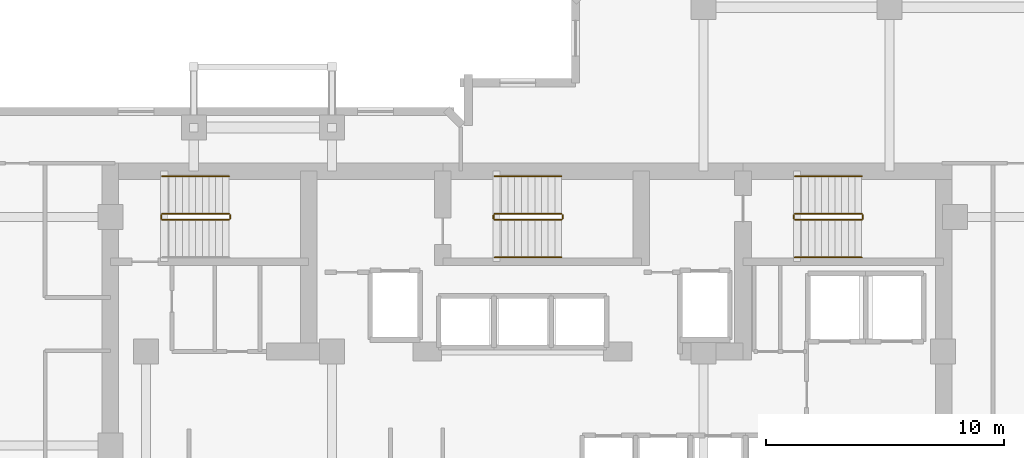
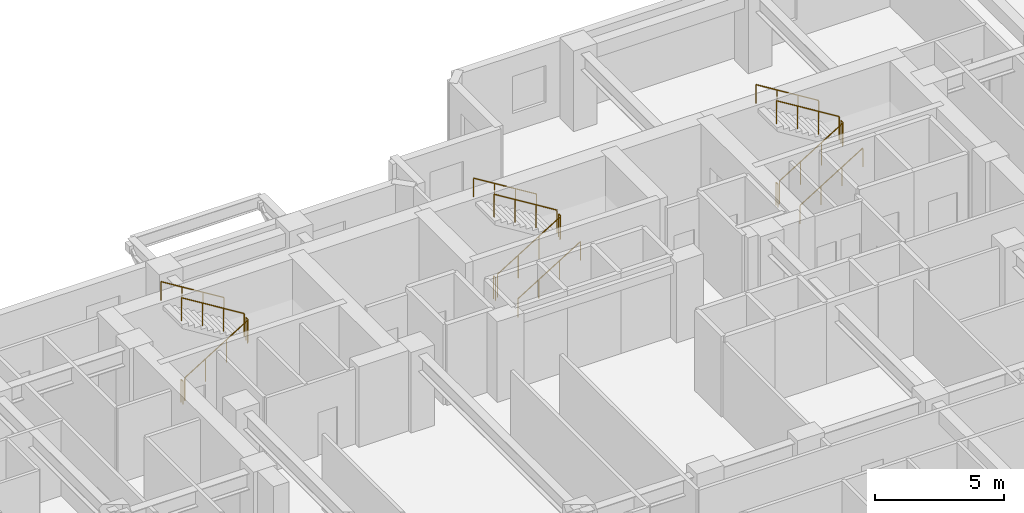
# One storey, part 10 of 10: 17 railings.
"""IFC4 building model written with IfcOpenShell, lengths in metres."""

import ifcopenshell
import ifcopenshell.guid

model = None  # the IFC model being written
_history = None  # IfcOwnerHistory: only IFC2X3 demands one
_inside = {}  # id of a spatial element -> (the spatial element, [elements in it])
_under = {}  # id of a project, library or spatial element -> (it, [spatial elements below it])
_declared = {}  # id of a project -> (the project, [libraries it declares])
_typed = {}  # id of a type object -> (the type object, [elements of that type])
_made_of = {}  # id of a material, layer set ... -> (it, [elements and type objects made of it])


def new_model(schema):
    """Start an empty IFC model of exactly this schema.

    Asked for "IFC4X3", IfcOpenShell would pick the latest addendum, in which some entities
    have other attributes; the version numbers below select the first issue.
    IFC2X3 requires an IfcOwnerHistory on every rooted entity: one is made here for all.
    """
    global model, _history
    if schema == "IFC4X3":
        model = ifcopenshell.file(schema_version=(4, 3, 0, 0))
    else:
        model = ifcopenshell.file(schema=schema)
    _inside.clear()
    _under.clear()
    _declared.clear()
    _typed.clear()
    _made_of.clear()
    _history = None
    if model.schema == "IFC2X3":
        org = make("IfcOrganization", Name="unknown")
        user = make(
            "IfcPersonAndOrganization",
            ThePerson=make("IfcPerson", FamilyName="unknown"),
            TheOrganization=org,
        )
        app = make(
            "IfcApplication",
            ApplicationDeveloper=org,
            Version="unknown",
            ApplicationFullName="unknown",
            ApplicationIdentifier="unknown",
        )
        _history = make(
            "IfcOwnerHistory",
            OwningUser=user,
            OwningApplication=app,
            ChangeAction="ADDED",
            CreationDate=0,
        )
    return model


def make(cls, **values):
    """One entity of the class cls with the attributes given. An attribute that is None is left unset."""
    return model.create_entity(
        cls, **{name: value for name, value in values.items() if value is not None}
    )


def rooted(cls, **values):
    """An entity with a GlobalId (a new one), such as an element, a storey or a relation."""
    return make(cls, GlobalId=ifcopenshell.guid.new(), OwnerHistory=_history, **values)


def si_unit(unit_type, name, prefix=None):
    """IfcSIUnit, for example si_unit("LENGTHUNIT", "METRE", prefix="MILLI")."""
    return make("IfcSIUnit", UnitType=unit_type, Prefix=prefix, Name=name)


def assignment(units):
    """IfcUnitAssignment: the units of a project."""
    return None if units is None else make("IfcUnitAssignment", Units=units)


def point(xyz):
    """IfcCartesianPoint."""
    return None if xyz is None else make("IfcCartesianPoint", Coordinates=xyz)


def direction(xyz):
    """IfcDirection."""
    return None if xyz is None else make("IfcDirection", DirectionRatios=xyz)


def frame(location, z_axis=None, x_axis=None):
    """IfcAxis2Placement3D, a coordinate frame: its origin and axes. An axis left out is left unset."""
    return make(
        "IfcAxis2Placement3D",
        Location=point(location),
        Axis=direction(z_axis),
        RefDirection=direction(x_axis),
    )


def frame_2d(location, x_axis=None):
    """IfcAxis2Placement2D, a coordinate frame in the plane: its origin and x axis."""
    return make(
        "IfcAxis2Placement2D", Location=point(location), RefDirection=direction(x_axis)
    )


def origin():
    """The frame at (0, 0, 0) with its axes left unset."""
    return frame((0.0, 0.0, 0.0))


def origin_2d():
    """The frame at (0, 0) in the plane with its x axis left unset."""
    return frame_2d((0.0, 0.0))


def place(relative_to, where):
    """IfcLocalPlacement: puts the frame where relative to a parent placement (None: the world)."""
    return make(
        "IfcLocalPlacement", PlacementRelTo=relative_to, RelativePlacement=where
    )


def context(
    kind, dimensions, precision=None, world=None, true_north=None, identifier=None
):
    """IfcGeometricRepresentationContext, for example the 3D "Model" context."""
    return make(
        "IfcGeometricRepresentationContext",
        ContextIdentifier=identifier,
        ContextType=kind,
        CoordinateSpaceDimension=dimensions,
        Precision=precision,
        WorldCoordinateSystem=world,
        TrueNorth=true_north,
    )


def subcontext(parent, identifier, kind, view, scale=None):
    """IfcGeometricRepresentationSubContext, for example "Body" below "Model"."""
    return make(
        "IfcGeometricRepresentationSubContext",
        ContextIdentifier=identifier,
        ContextType=kind,
        ParentContext=parent,
        TargetScale=scale,
        TargetView=view,
    )


def project(units=None, contexts=None):
    """IfcProject with its units and contexts."""
    return rooted(
        "IfcProject",
        Name="project",
        RepresentationContexts=contexts,
        UnitsInContext=assignment(units),
    )


def spatial(cls, under=None, at=None, **own):
    """A site, building, storey or space (cls), placed at a placement, below another one or the project."""
    s = rooted(cls, ObjectPlacement=at, **own)
    if under is not None:
        _under.setdefault(under.id(), (under, []))[1].append(s)
    return s


def profile(cls, at=None, kind="AREA", **sizes):
    """A parametric profile (cls). Its sizes go by their IFC names, for example OverallWidth=200.0."""
    return make(cls, ProfileType=kind, Position=at, **sizes)


def circle(**sizes):
    """IfcCircleProfileDef."""
    return profile("IfcCircleProfileDef", **sizes)


def extrude(swept, where, along, depth):
    """IfcExtrudedAreaSolid: the profile swept, set in the frame where, extruded along a direction by depth."""
    return make(
        "IfcExtrudedAreaSolid",
        SweptArea=swept,
        Position=where,
        ExtrudedDirection=direction(along),
        Depth=depth,
    )


def shape(context_of_items, identifier, shape_type, items):
    """IfcShapeRepresentation: the items that make up one representation, for example the "Body"."""
    return make(
        "IfcShapeRepresentation",
        ContextOfItems=context_of_items,
        RepresentationIdentifier=identifier,
        RepresentationType=shape_type,
        Items=items,
    )


def material(Name=None, Category=None):
    """IfcMaterial."""
    return make("IfcMaterial", Name=Name, Category=Category)


def made_of(thing, what):
    """Note that an element or type object is made of a material, layer set ...; save() writes the relation."""
    if what is not None:
        _made_of.setdefault(what.id(), (what, []))[1].append(thing)
    return thing


def type_object(cls, material=None, **own):
    """A type object (cls), such as IfcWallType, which elements share."""
    return made_of(rooted(cls, **own), material)


def element(
    cls,
    number,
    at=None,
    inside=None,
    cuts=None,
    type_object=None,
    material=None,
    context=None,
    identifier="Body",
    shape_type=None,
    held_by="IfcProductDefinitionShape",
    body=None,
    shapes=None,
    **own,
):
    """One element of the class cls, such as IfcWall. Its Tag is "e" and its number.

    at: its placement. inside: the storey or other place that contains it. cuts: it is an
    opening in that element (IfcRelVoidsElement). A single representation is given by context,
    identifier, shape_type and body (its items); several are given by shapes. held_by: the class
    of the entity that holds the representations. save() writes the other relations.
    """
    e = rooted(cls, Tag="e%d" % number, ObjectPlacement=at, **own)
    if body is not None:
        shapes = [shape(context, identifier, shape_type, body)]
    if shapes is not None:
        e.Representation = make(held_by, Representations=shapes)
    if inside is not None:
        _inside.setdefault(inside.id(), (inside, []))[1].append(e)
    if cuts is not None:
        rooted(
            "IfcRelVoidsElement", RelatingBuildingElement=cuts, RelatedOpeningElement=e
        )
    if type_object is not None:
        _typed.setdefault(type_object.id(), (type_object, []))[1].append(e)
    return made_of(e, material)


def aggregate(whole, parts):
    """IfcRelAggregates: a whole, such as a stair, and the parts it consists of."""
    return rooted("IfcRelAggregates", RelatingObject=whole, RelatedObjects=parts)


def save(model, path):
    """Write the relations noted so far, then the file.

    IfcRelAggregates (storeys below a building ...), IfcRelContainedInSpatialStructure (elements
    in a storey), IfcRelDefinesByType, IfcRelAssociatesMaterial and IfcRelDeclares: one each for
    every whole, place, type object, material and project.
    """
    for whole, parts in _under.values():
        aggregate(whole, parts)
    for where, things in _inside.values():
        rooted(
            "IfcRelContainedInSpatialStructure",
            RelatedElements=things,
            RelatingStructure=where,
        )
    for kind, things in _typed.values():
        rooted("IfcRelDefinesByType", RelatedObjects=things, RelatingType=kind)
    for what, things in _made_of.values():
        rooted("IfcRelAssociatesMaterial", RelatedObjects=things, RelatingMaterial=what)
    for by, libraries in _declared.values():
        rooted("IfcRelDeclares", RelatingContext=by, RelatedDefinitions=libraries)
    model.write(path)


model = new_model("IFC4")

# Units and contexts
model_context = context("Model", 3, precision=1e-05, world=origin(), true_north=direction((0.0, 1.0)))
body_context = subcontext(model_context, "Body", "Model", "MODEL_VIEW")
ifc_project = project(units=[si_unit("LENGTHUNIT", "METRE"), si_unit("AREAUNIT", "SQUARE_METRE"), si_unit("VOLUMEUNIT", "CUBIC_METRE"), si_unit("PLANEANGLEUNIT", "RADIAN"), si_unit("MASSUNIT", "GRAM", prefix="KILO")], contexts=[model_context])

# Site, building, storey
site_placement = place(None, origin())
site = spatial("IfcSite", under=ifc_project, at=site_placement, CompositionType="ELEMENT")
building_placement = place(site_placement, origin())
building = spatial("IfcBuilding", under=site, at=building_placement, Name="Kestravale Grand Hotel", CompositionType="ELEMENT")
storey_placement = place(building_placement, frame((0.0, 0.0, 138.39990234375)))
storey = spatial("IfcBuildingStorey", under=building, at=storey_placement, Name="L34", CompositionType="ELEMENT", Elevation=138.39990234375)

# Railings
ifc_material_1 = material(Name="Painted tubular steel stair well guard", Category="steel")
railing_type_1 = type_object("IfcRailingType", Name="RL-ST-GRD1100", PredefinedType="GUARDRAIL", material=ifc_material_1)
railing_1_placement = place(storey_placement, frame((24.080078125, 38.280029296875, 0.1728515625)))
element("IfcRailing", 1, at=railing_1_placement, inside=storey, type_object=railing_type_1, Name="L34 ST-1 stair guard 1", PredefinedType="GUARDRAIL", context=body_context, shape_type="SweptSolid", body=[
    extrude(circle(Radius=0.02392578125, at=origin_2d()), frame((0.0, 0.0, 1.076171875), z_axis=(0.851069175582, 0.0, 0.525053576669), x_axis=(0.0, 1.0, 0.0)), (0.0, 0.0, 1.0), 3.289794921875),
    extrude(circle(Radius=0.02099609375, at=origin_2d()), origin(), (0.0, 0.0, 1.0), 1.052001953125),
    extrude(circle(Radius=0.02099609375, at=origin_2d()), frame((0.933349609375, 0.0, 0.57568359375)), (0.0, 0.0, 1.0), 1.052001953125),
    extrude(circle(Radius=0.02099609375, at=origin_2d()), frame((1.866455078125, 0.0, 1.151611328125)), (0.0, 0.0, 1.0), 1.052001953125),
    extrude(circle(Radius=0.02099609375, at=origin_2d()), frame((2.7998046875, 0.0, 1.727294921875)), (0.0, 0.0, 1.0), 1.052001953125),
])
railing_2_placement = place(storey_placement, frame((26.929931640625, 38.330078125, 1.900146484375)))
element("IfcRailing", 2, at=railing_2_placement, inside=storey, type_object=railing_type_1, Name="L34 ST-1 stair guard 2", PredefinedType="GUARDRAIL", context=body_context, shape_type="SweptSolid", body=[
    extrude(circle(Radius=0.02392578125, at=origin_2d()), frame((0.0, 0.0, 1.076171875), z_axis=(0.0, 1.0, 0.0), x_axis=(-1.0, 0.0, 0.0)), (0.0, 0.0, 1.0), 0.14990234375),
    extrude(circle(Radius=0.02099609375, at=origin_2d()), origin(), (0.0, 0.0, 1.0), 1.052001953125),
    extrude(circle(Radius=0.02099609375, at=origin_2d()), frame((0.0, 0.14990234375, 0.0)), (0.0, 0.0, 1.0), 1.052001953125),
])
railing_3_placement = place(storey_placement, frame((26.8798828125, 38.530029296875, 2.07275390625)))
element("IfcRailing", 3, at=railing_3_placement, inside=storey, type_object=railing_type_1, Name="L34 ST-1 stair guard 3", PredefinedType="GUARDRAIL", context=body_context, shape_type="SweptSolid", body=[
    extrude(circle(Radius=0.02392578125, at=origin_2d()), frame((0.0, 0.0, 1.076171875), z_axis=(-0.851069175582, 0.0, 0.525053576669), x_axis=(0.0, -1.0, 0.0)), (0.0, 0.0, 1.0), 3.289794921875),
    extrude(circle(Radius=0.02099609375, at=origin_2d()), origin(), (0.0, 0.0, 1.0), 1.052001953125),
    extrude(circle(Radius=0.02099609375, at=origin_2d()), frame((-0.933349609375, 0.0, 0.57568359375)), (0.0, 0.0, 1.0), 1.052001953125),
    extrude(circle(Radius=0.02099609375, at=origin_2d()), frame((-1.866455078125, 0.0, 1.151611328125)), (0.0, 0.0, 1.0), 1.052001953125),
    extrude(circle(Radius=0.02099609375, at=origin_2d()), frame((-2.7998046875, 0.0, 1.727294921875)), (0.0, 0.0, 1.0), 1.052001953125),
])
railing_4_placement = place(storey_placement, frame((24.030029296875, 38.330078125, 0.0)))
element("IfcRailing", 4, at=railing_4_placement, inside=storey, type_object=railing_type_1, Name="L34 ST-1 stair guard 4", PredefinedType="GUARDRAIL", context=body_context, shape_type="SweptSolid", body=[
    extrude(circle(Radius=0.02392578125, at=origin_2d()), frame((0.0, 0.0, 1.076171875), z_axis=(0.0, 1.0, 0.0), x_axis=(-1.0, 0.0, 0.0)), (0.0, 0.0, 1.0), 0.14990234375),
    extrude(circle(Radius=0.02099609375, at=origin_2d()), origin(), (0.0, 0.0, 1.0), 1.052001953125),
    extrude(circle(Radius=0.02099609375, at=origin_2d()), frame((0.0, 0.14990234375, 0.0)), (0.0, 0.0, 1.0), 1.052001953125),
])
railing_5_placement = place(storey_placement, frame((38.030029296875, 38.280029296875, 0.1728515625)))
element("IfcRailing", 5, at=railing_5_placement, inside=storey, type_object=railing_type_1, Name="L34 ST-2 stair guard 1", PredefinedType="GUARDRAIL", context=body_context, shape_type="SweptSolid", body=[
    extrude(circle(Radius=0.02392578125, at=origin_2d()), frame((0.0, 0.0, 1.076171875), z_axis=(0.851089632645, 0.0, 0.525020415988), x_axis=(0.0, 1.0, 0.0)), (0.0, 0.0, 1.0), 3.2900390625),
    extrude(circle(Radius=0.02099609375, at=origin_2d()), origin(), (0.0, 0.0, 1.0), 1.052001953125),
    extrude(circle(Radius=0.02099609375, at=origin_2d()), frame((0.933349609375, 0.0, 0.57568359375)), (0.0, 0.0, 1.0), 1.052001953125),
    extrude(circle(Radius=0.02099609375, at=origin_2d()), frame((1.86669921875, 0.0, 1.151611328125)), (0.0, 0.0, 1.0), 1.052001953125),
    extrude(circle(Radius=0.02099609375, at=origin_2d()), frame((2.800048828125, 0.0, 1.727294921875)), (0.0, 0.0, 1.0), 1.052001953125),
])
railing_6_placement = place(storey_placement, frame((40.8798828125, 38.330078125, 1.900146484375)))
element("IfcRailing", 6, at=railing_6_placement, inside=storey, type_object=railing_type_1, Name="L34 ST-2 stair guard 2", PredefinedType="GUARDRAIL", context=body_context, shape_type="SweptSolid", body=[
    extrude(circle(Radius=0.02392578125, at=origin_2d()), frame((0.0, 0.0, 1.076171875), z_axis=(0.0, 1.0, 0.0), x_axis=(-1.0, 0.0, 0.0)), (0.0, 0.0, 1.0), 0.14990234375),
    extrude(circle(Radius=0.02099609375, at=origin_2d()), origin(), (0.0, 0.0, 1.0), 1.052001953125),
    extrude(circle(Radius=0.02099609375, at=origin_2d()), frame((0.0, 0.14990234375, 0.0)), (0.0, 0.0, 1.0), 1.052001953125),
])
railing_7_placement = place(storey_placement, frame((40.830078125, 38.530029296875, 2.07275390625)))
element("IfcRailing", 7, at=railing_7_placement, inside=storey, type_object=railing_type_1, Name="L34 ST-2 stair guard 3", PredefinedType="GUARDRAIL", context=body_context, shape_type="SweptSolid", body=[
    extrude(circle(Radius=0.02392578125, at=origin_2d()), frame((0.0, 0.0, 1.076171875), z_axis=(-0.851089632645, 0.0, 0.525020415988), x_axis=(0.0, -1.0, 0.0)), (0.0, 0.0, 1.0), 3.2900390625),
    extrude(circle(Radius=0.02099609375, at=origin_2d()), origin(), (0.0, 0.0, 1.0), 1.052001953125),
    extrude(circle(Radius=0.02099609375, at=origin_2d()), frame((-0.933349609375, 0.0, 0.57568359375)), (0.0, 0.0, 1.0), 1.052001953125),
    extrude(circle(Radius=0.02099609375, at=origin_2d()), frame((-1.86669921875, 0.0, 1.151611328125)), (0.0, 0.0, 1.0), 1.052001953125),
    extrude(circle(Radius=0.02099609375, at=origin_2d()), frame((-2.800048828125, 0.0, 1.727294921875)), (0.0, 0.0, 1.0), 1.052001953125),
])
railing_8_placement = place(storey_placement, frame((37.97998046875, 38.330078125, 0.0)))
element("IfcRailing", 8, at=railing_8_placement, inside=storey, type_object=railing_type_1, Name="L34 ST-2 stair guard 4", PredefinedType="GUARDRAIL", context=body_context, shape_type="SweptSolid", body=[
    extrude(circle(Radius=0.02392578125, at=origin_2d()), frame((0.0, 0.0, 1.076171875), z_axis=(0.0, 1.0, 0.0), x_axis=(-1.0, 0.0, 0.0)), (0.0, 0.0, 1.0), 0.14990234375),
    extrude(circle(Radius=0.02099609375, at=origin_2d()), origin(), (0.0, 0.0, 1.0), 1.052001953125),
    extrude(circle(Radius=0.02099609375, at=origin_2d()), frame((0.0, 0.14990234375, 0.0)), (0.0, 0.0, 1.0), 1.052001953125),
])
railing_9_placement = place(storey_placement, frame((50.6298828125, 38.280029296875, 0.1728515625)))
element("IfcRailing", 9, at=railing_9_placement, inside=storey, type_object=railing_type_1, Name="L34 ST-3 stair guard 1", PredefinedType="GUARDRAIL", context=body_context, shape_type="SweptSolid", body=[
    extrude(circle(Radius=0.02392578125, at=origin_2d()), frame((0.0, 0.0, 1.076171875), z_axis=(0.851089632645, 0.0, 0.525020415988), x_axis=(0.0, 1.0, 0.0)), (0.0, 0.0, 1.0), 3.2900390625),
    extrude(circle(Radius=0.02099609375, at=origin_2d()), origin(), (0.0, 0.0, 1.0), 1.052001953125),
    extrude(circle(Radius=0.02099609375, at=origin_2d()), frame((0.933349609375, 0.0, 0.57568359375)), (0.0, 0.0, 1.0), 1.052001953125),
    extrude(circle(Radius=0.02099609375, at=origin_2d()), frame((1.86669921875, 0.0, 1.151611328125)), (0.0, 0.0, 1.0), 1.052001953125),
    extrude(circle(Radius=0.02099609375, at=origin_2d()), frame((2.800048828125, 0.0, 1.727294921875)), (0.0, 0.0, 1.0), 1.052001953125),
])
railing_10_placement = place(storey_placement, frame((53.47998046875, 38.330078125, 1.900146484375)))
element("IfcRailing", 10, at=railing_10_placement, inside=storey, type_object=railing_type_1, Name="L34 ST-3 stair guard 2", PredefinedType="GUARDRAIL", context=body_context, shape_type="SweptSolid", body=[
    extrude(circle(Radius=0.02392578125, at=origin_2d()), frame((0.0, 0.0, 1.076171875), z_axis=(0.0, 1.0, 0.0), x_axis=(-1.0, 0.0, 0.0)), (0.0, 0.0, 1.0), 0.14990234375),
    extrude(circle(Radius=0.02099609375, at=origin_2d()), origin(), (0.0, 0.0, 1.0), 1.052001953125),
    extrude(circle(Radius=0.02099609375, at=origin_2d()), frame((0.0, 0.14990234375, 0.0)), (0.0, 0.0, 1.0), 1.052001953125),
])
railing_11_placement = place(storey_placement, frame((53.429931640625, 38.530029296875, 2.07275390625)))
element("IfcRailing", 11, at=railing_11_placement, inside=storey, type_object=railing_type_1, Name="L34 ST-3 stair guard 3", PredefinedType="GUARDRAIL", context=body_context, shape_type="SweptSolid", body=[
    extrude(circle(Radius=0.02392578125, at=origin_2d()), frame((0.0, 0.0, 1.076171875), z_axis=(-0.851089632645, 0.0, 0.525020415988), x_axis=(0.0, -1.0, 0.0)), (0.0, 0.0, 1.0), 3.2900390625),
    extrude(circle(Radius=0.02099609375, at=origin_2d()), origin(), (0.0, 0.0, 1.0), 1.052001953125),
    extrude(circle(Radius=0.02099609375, at=origin_2d()), frame((-0.933349609375, 0.0, 0.57568359375)), (0.0, 0.0, 1.0), 1.052001953125),
    extrude(circle(Radius=0.02099609375, at=origin_2d()), frame((-1.86669921875, 0.0, 1.151611328125)), (0.0, 0.0, 1.0), 1.052001953125),
    extrude(circle(Radius=0.02099609375, at=origin_2d()), frame((-2.800048828125, 0.0, 1.727294921875)), (0.0, 0.0, 1.0), 1.052001953125),
])
railing_12_placement = place(storey_placement, frame((50.580078125, 38.330078125, 0.0)))
element("IfcRailing", 12, at=railing_12_placement, inside=storey, type_object=railing_type_1, Name="L34 ST-3 stair guard 4", PredefinedType="GUARDRAIL", context=body_context, shape_type="SweptSolid", body=[
    extrude(circle(Radius=0.02392578125, at=origin_2d()), frame((0.0, 0.0, 1.076171875), z_axis=(0.0, 1.0, 0.0), x_axis=(-1.0, 0.0, 0.0)), (0.0, 0.0, 1.0), 0.14990234375),
    extrude(circle(Radius=0.02099609375, at=origin_2d()), origin(), (0.0, 0.0, 1.0), 1.052001953125),
    extrude(circle(Radius=0.02099609375, at=origin_2d()), frame((0.0, 0.14990234375, 0.0)), (0.0, 0.0, 1.0), 1.052001953125),
])
ifc_material_2 = material(Name="Brushed stainless steel wall handrail", Category="steel")
railing_type_2 = type_object("IfcRailingType", Name="RL-ST-HND900", PredefinedType="HANDRAIL", material=ifc_material_2)
railing_13_placement = place(storey_placement, frame((26.8798828125, 40.110107421875, 2.07275390625)))
element("IfcRailing", 13, at=railing_13_placement, inside=storey, type_object=railing_type_2, Name="L34 ST-1 stair handrail 2", PredefinedType="HANDRAIL", context=body_context, shape_type="SweptSolid", body=[
    extrude(circle(Radius=0.02392578125, at=origin_2d()), frame((0.0, 0.0, 0.8759765625), z_axis=(-0.851069175582, 0.0, 0.525053576669), x_axis=(0.0, -1.0, 0.0)), (0.0, 0.0, 1.0), 3.289794921875),
    extrude(circle(Radius=0.02099609375, at=origin_2d()), origin(), (0.0, 0.0, 1.0), 0.851806640625),
    extrude(circle(Radius=0.02099609375, at=origin_2d()), frame((-0.933349609375, 0.0, 0.57568359375)), (0.0, 0.0, 1.0), 0.851806640625),
    extrude(circle(Radius=0.02099609375, at=origin_2d()), frame((-1.866455078125, 0.0, 1.151611328125)), (0.0, 0.0, 1.0), 0.851806640625),
    extrude(circle(Radius=0.02099609375, at=origin_2d()), frame((-2.7998046875, 0.0, 1.727294921875)), (0.0, 0.0, 1.0), 0.851806640625),
])
railing_14_placement = place(storey_placement, frame((38.030029296875, 36.699951171875, 0.1728515625)))
element("IfcRailing", 14, at=railing_14_placement, inside=storey, type_object=railing_type_2, Name="L34 ST-2 stair handrail 1", PredefinedType="HANDRAIL", context=body_context, shape_type="SweptSolid", body=[
    extrude(circle(Radius=0.02392578125, at=origin_2d()), frame((0.0, 0.0, 0.8759765625), z_axis=(0.851089632645, 0.0, 0.525020415988), x_axis=(0.0, 1.0, 0.0)), (0.0, 0.0, 1.0), 3.2900390625),
    extrude(circle(Radius=0.02099609375, at=origin_2d()), origin(), (0.0, 0.0, 1.0), 0.851806640625),
    extrude(circle(Radius=0.02099609375, at=origin_2d()), frame((0.933349609375, 0.0, 0.57568359375)), (0.0, 0.0, 1.0), 0.851806640625),
    extrude(circle(Radius=0.02099609375, at=origin_2d()), frame((1.86669921875, 0.0, 1.151611328125)), (0.0, 0.0, 1.0), 0.851806640625),
    extrude(circle(Radius=0.02099609375, at=origin_2d()), frame((2.800048828125, 0.0, 1.727294921875)), (0.0, 0.0, 1.0), 0.851806640625),
])
railing_15_placement = place(storey_placement, frame((40.830078125, 40.110107421875, 2.07275390625)))
element("IfcRailing", 15, at=railing_15_placement, inside=storey, type_object=railing_type_2, Name="L34 ST-2 stair handrail 2", PredefinedType="HANDRAIL", context=body_context, shape_type="SweptSolid", body=[
    extrude(circle(Radius=0.02392578125, at=origin_2d()), frame((0.0, 0.0, 0.8759765625), z_axis=(-0.851089632645, 0.0, 0.525020415988), x_axis=(0.0, -1.0, 0.0)), (0.0, 0.0, 1.0), 3.2900390625),
    extrude(circle(Radius=0.02099609375, at=origin_2d()), origin(), (0.0, 0.0, 1.0), 0.851806640625),
    extrude(circle(Radius=0.02099609375, at=origin_2d()), frame((-0.933349609375, 0.0, 0.57568359375)), (0.0, 0.0, 1.0), 0.851806640625),
    extrude(circle(Radius=0.02099609375, at=origin_2d()), frame((-1.86669921875, 0.0, 1.151611328125)), (0.0, 0.0, 1.0), 0.851806640625),
    extrude(circle(Radius=0.02099609375, at=origin_2d()), frame((-2.800048828125, 0.0, 1.727294921875)), (0.0, 0.0, 1.0), 0.851806640625),
])
railing_16_placement = place(storey_placement, frame((50.6298828125, 36.699951171875, 0.1728515625)))
element("IfcRailing", 16, at=railing_16_placement, inside=storey, type_object=railing_type_2, Name="L34 ST-3 stair handrail 1", PredefinedType="HANDRAIL", context=body_context, shape_type="SweptSolid", body=[
    extrude(circle(Radius=0.02392578125, at=origin_2d()), frame((0.0, 0.0, 0.8759765625), z_axis=(0.851089632645, 0.0, 0.525020415988), x_axis=(0.0, 1.0, 0.0)), (0.0, 0.0, 1.0), 3.2900390625),
    extrude(circle(Radius=0.02099609375, at=origin_2d()), origin(), (0.0, 0.0, 1.0), 0.851806640625),
    extrude(circle(Radius=0.02099609375, at=origin_2d()), frame((0.933349609375, 0.0, 0.57568359375)), (0.0, 0.0, 1.0), 0.851806640625),
    extrude(circle(Radius=0.02099609375, at=origin_2d()), frame((1.86669921875, 0.0, 1.151611328125)), (0.0, 0.0, 1.0), 0.851806640625),
    extrude(circle(Radius=0.02099609375, at=origin_2d()), frame((2.800048828125, 0.0, 1.727294921875)), (0.0, 0.0, 1.0), 0.851806640625),
])
railing_17_placement = place(storey_placement, frame((53.429931640625, 40.110107421875, 2.07275390625)))
element("IfcRailing", 17, at=railing_17_placement, inside=storey, type_object=railing_type_2, Name="L34 ST-3 stair handrail 2", PredefinedType="HANDRAIL", context=body_context, shape_type="SweptSolid", body=[
    extrude(circle(Radius=0.02392578125, at=origin_2d()), frame((0.0, 0.0, 0.8759765625), z_axis=(-0.851089632645, 0.0, 0.525020415988), x_axis=(0.0, -1.0, 0.0)), (0.0, 0.0, 1.0), 3.2900390625),
    extrude(circle(Radius=0.02099609375, at=origin_2d()), origin(), (0.0, 0.0, 1.0), 0.851806640625),
    extrude(circle(Radius=0.02099609375, at=origin_2d()), frame((-0.933349609375, 0.0, 0.57568359375)), (0.0, 0.0, 1.0), 0.851806640625),
    extrude(circle(Radius=0.02099609375, at=origin_2d()), frame((-1.86669921875, 0.0, 1.151611328125)), (0.0, 0.0, 1.0), 0.851806640625),
    extrude(circle(Radius=0.02099609375, at=origin_2d()), frame((-2.800048828125, 0.0, 1.727294921875)), (0.0, 0.0, 1.0), 0.851806640625),
])

save(model, "model.ifc")
